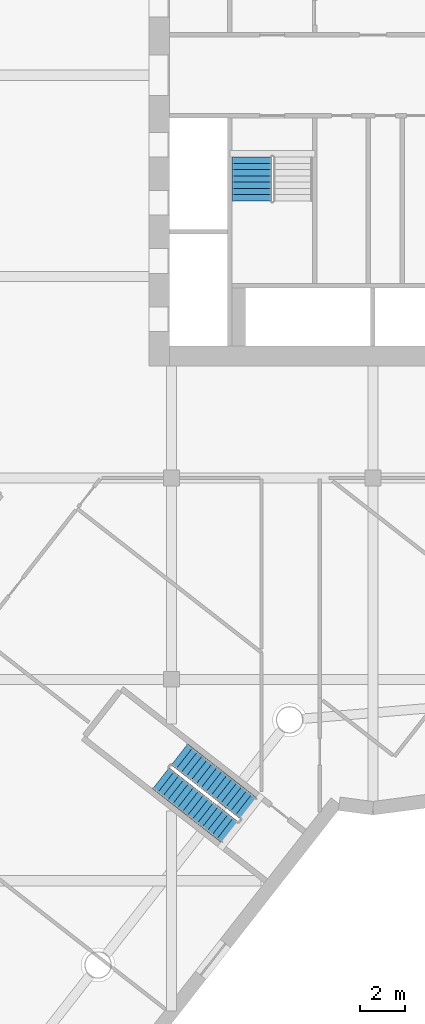
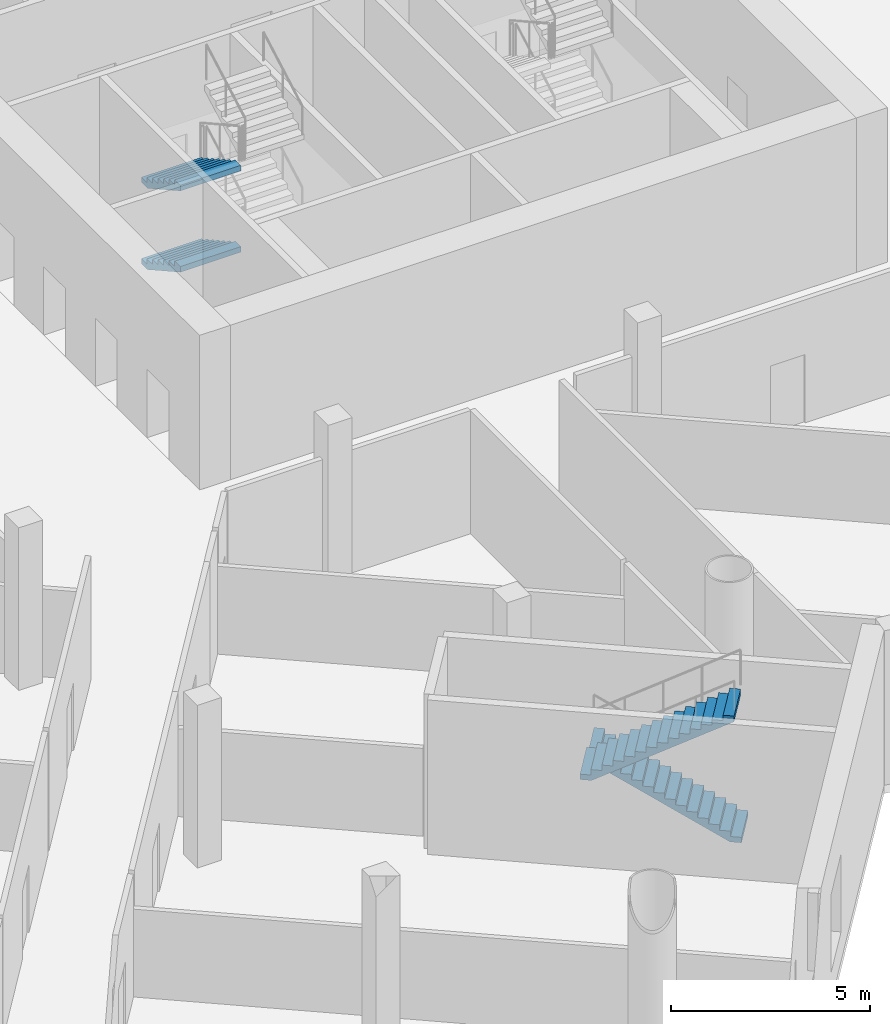
# One storey, part 13 of 22: 4 stair flights, 2 elements without a shape of their own.
"""IFC4 building model written with IfcOpenShell, lengths in metres."""

from ifc_helpers import new_model, si_unit, direction, frame, origin, place, context, subcontext, project, spatial, faceted_brep, material, type_object, element, aggregate, save


model = new_model("IFC4")

# Units and contexts
model_context = context("Model", 3, precision=1e-05, world=origin(), true_north=direction((0.0, 1.0)))
body_context = subcontext(model_context, "Body", "Model", "MODEL_VIEW")
ifc_project = project(units=[si_unit("LENGTHUNIT", "METRE"), si_unit("AREAUNIT", "SQUARE_METRE"), si_unit("VOLUMEUNIT", "CUBIC_METRE"), si_unit("PLANEANGLEUNIT", "RADIAN"), si_unit("MASSUNIT", "GRAM", prefix="KILO")], contexts=[model_context])

# Site, building, storey
site_placement = place(None, origin())
site = spatial("IfcSite", under=ifc_project, at=site_placement, CompositionType="ELEMENT")
building_placement = place(site_placement, origin())
building = spatial("IfcBuilding", under=site, at=building_placement, Name="Tarsis Ring Headquarters", CompositionType="ELEMENT")
storey_placement = place(building_placement, frame((0.0, 0.0, 25.0)))
storey = spatial("IfcBuildingStorey", under=building, at=storey_placement, Name="L04", CompositionType="ELEMENT", Elevation=25.0)

# Stair, stair flights
ifc_material_1 = material(Name="Core stair 1760")
stair_type_1 = type_object("IfcStairType", Name="Core stair 1760", PredefinedType="HALF_TURN_STAIR", material=ifc_material_1)
stair_1_placement = place(storey_placement, origin())
stair_1 = element("IfcStair", 1, at=stair_1_placement, inside=storey, type_object=stair_type_1, Name="L04 Exit stair C", PredefinedType="HALF_TURN_STAIR")
ifc_material_2 = material(Name="Concrete C40/50", Category="concrete")
stair_flight_type_1 = type_object("IfcStairFlightType", Name="Core stair flight 1760", PredefinedType="STRAIGHT", material=ifc_material_2)
stair_flight_1_placement = place(storey_placement, frame((-5.419921875, -3.659912109375, 0.0), z_axis=(0.0, 0.0, 1.0), x_axis=(0.0, -1.0, 0.0)))
stair_flight_1 = element("IfcStairFlight", 2, at=stair_flight_1_placement, type_object=stair_flight_type_1, Name="Stair ST3 flight 1", NumberOfRisers=8, NumberOfTreads=7, PredefinedType="STRAIGHT", RiserHeight=0.15625, TreadLength=0.28, context=body_context, shape_type="Brep", body=[
    faceted_brep([(0.0, 0.8798828125, 0.0), (0.0, 0.8798828125, 0.15625), (0.280029296875, 0.8798828125, 0.15625), (0.280029296875, 0.8798828125, 0.3125), (0.56005859375, 0.8798828125, 0.3125), (0.56005859375, 0.8798828125, 0.46875), (0.840087890625, 0.8798828125, 0.46875), (0.840087890625, 0.8798828125, 0.625), (1.1201171875, 0.8798828125, 0.625), (1.1201171875, 0.8798828125, 0.78125), (1.39990234375, 0.8798828125, 0.78125), (1.39990234375, 0.8798828125, 0.9375), (1.679931640625, 0.8798828125, 0.9375), (1.679931640625, 0.8798828125, 1.09375), (1.9599609375, 0.8798828125, 1.09375), (1.9599609375, 0.8798828125, 0.922119140625), (0.3076171875, 0.8798828125, 0.0), (0.3076171875, -0.8798828125, 0.0), (1.9599609375, -0.8798828125, 0.922119140625), (1.9599609375, -0.8798828125, 1.09375), (1.679931640625, -0.8798828125, 1.09375), (1.679931640625, -0.8798828125, 0.9375), (1.39990234375, -0.8798828125, 0.9375), (1.39990234375, -0.8798828125, 0.78125), (1.1201171875, -0.8798828125, 0.78125), (1.1201171875, -0.8798828125, 0.625), (0.840087890625, -0.8798828125, 0.625), (0.840087890625, -0.8798828125, 0.46875), (0.56005859375, -0.8798828125, 0.46875), (0.56005859375, -0.8798828125, 0.3125), (0.280029296875, -0.8798828125, 0.3125), (0.280029296875, -0.8798828125, 0.15625), (0.0, -0.8798828125, 0.15625), (0.0, -0.8798828125, 0.0), (0.0, -0.43994140625, 0.15625), (0.0, -0.43994140625, 0.0), (0.0, 0.0, 0.15625), (0.0, 0.0, 0.0), (0.0, 0.43994140625, 0.15625), (0.0, 0.43994140625, 0.0), (0.280029296875, -0.43994140625, 0.15625), (0.280029296875, 0.0, 0.15625), (0.280029296875, 0.43994140625, 0.15625), (0.280029296875, -0.43994140625, 0.3125), (0.280029296875, 0.0, 0.3125), (0.280029296875, 0.43994140625, 0.3125), (0.56005859375, -0.43994140625, 0.3125), (0.56005859375, 0.0, 0.3125), (0.56005859375, 0.43994140625, 0.3125), (0.56005859375, -0.43994140625, 0.46875), (0.56005859375, 0.0, 0.46875), (0.56005859375, 0.43994140625, 0.46875), (0.840087890625, -0.43994140625, 0.46875), (0.840087890625, 0.0, 0.46875), (0.840087890625, 0.43994140625, 0.46875), (0.840087890625, -0.43994140625, 0.625), (0.840087890625, 0.0, 0.625), (0.840087890625, 0.43994140625, 0.625), (1.1201171875, -0.43994140625, 0.625), (1.1201171875, 0.0, 0.625), (1.1201171875, 0.43994140625, 0.625), (1.1201171875, -0.43994140625, 0.78125), (1.1201171875, 0.0, 0.78125), (1.1201171875, 0.43994140625, 0.78125), (1.39990234375, -0.43994140625, 0.78125), (1.39990234375, 0.0, 0.78125), (1.39990234375, 0.43994140625, 0.78125), (1.39990234375, -0.43994140625, 0.9375), (1.39990234375, 0.0, 0.9375), (1.39990234375, 0.43994140625, 0.9375), (1.679931640625, -0.43994140625, 0.9375), (1.679931640625, 0.0, 0.9375), (1.679931640625, 0.43994140625, 0.9375), (1.679931640625, -0.43994140625, 1.09375), (1.679931640625, 0.0, 1.09375), (1.679931640625, 0.43994140625, 1.09375), (1.9599609375, -0.43994140625, 1.09375), (1.9599609375, 0.0, 1.09375), (1.9599609375, 0.43994140625, 1.09375), (1.9599609375, -0.43994140625, 0.922119140625), (1.9599609375, 0.0, 0.922119140625), (1.9599609375, 0.43994140625, 0.922119140625), (0.3076171875, -0.43994140625, 0.0), (0.3076171875, 0.0, 0.0), (0.3076171875, 0.43994140625, 0.0)], [[[0, 1, 2, 3, 4, 5, 6, 7, 8, 9, 10, 11, 12, 13, 14, 15, 16]], [[17, 18, 19, 20, 21, 22, 23, 24, 25, 26, 27, 28, 29, 30, 31, 32, 33]], [[33, 32, 34, 35]], [[35, 34, 36, 37]], [[37, 36, 38, 39]], [[39, 38, 1, 0]], [[32, 31, 40, 34]], [[34, 40, 41, 36]], [[36, 41, 42, 38]], [[38, 42, 2, 1]], [[31, 30, 43, 40]], [[40, 43, 44, 41]], [[41, 44, 45, 42]], [[42, 45, 3, 2]], [[30, 29, 46, 43]], [[43, 46, 47, 44]], [[44, 47, 48, 45]], [[45, 48, 4, 3]], [[29, 28, 49, 46]], [[46, 49, 50, 47]], [[47, 50, 51, 48]], [[48, 51, 5, 4]], [[28, 27, 52, 49]], [[49, 52, 53, 50]], [[50, 53, 54, 51]], [[51, 54, 6, 5]], [[27, 26, 55, 52]], [[52, 55, 56, 53]], [[53, 56, 57, 54]], [[54, 57, 7, 6]], [[26, 25, 58, 55]], [[55, 58, 59, 56]], [[56, 59, 60, 57]], [[57, 60, 8, 7]], [[25, 24, 61, 58]], [[58, 61, 62, 59]], [[59, 62, 63, 60]], [[60, 63, 9, 8]], [[24, 23, 64, 61]], [[61, 64, 65, 62]], [[62, 65, 66, 63]], [[63, 66, 10, 9]], [[23, 22, 67, 64]], [[64, 67, 68, 65]], [[65, 68, 69, 66]], [[66, 69, 11, 10]], [[22, 21, 70, 67]], [[67, 70, 71, 68]], [[68, 71, 72, 69]], [[69, 72, 12, 11]], [[21, 20, 73, 70]], [[70, 73, 74, 71]], [[71, 74, 75, 72]], [[72, 75, 13, 12]], [[20, 19, 76, 73]], [[73, 76, 77, 74]], [[74, 77, 78, 75]], [[75, 78, 14, 13]], [[19, 18, 79, 76]], [[76, 79, 80, 77]], [[77, 80, 81, 78]], [[78, 81, 15, 14]], [[18, 17, 82, 79]], [[79, 82, 83, 80]], [[80, 83, 84, 81]], [[81, 84, 16, 15]], [[17, 33, 35, 82]], [[82, 35, 37, 83]], [[83, 37, 39, 84]], [[84, 39, 0, 16]]]),
])
stair_flight_2_placement = place(storey_placement, frame((-5.419921875, -3.659912109375, 2.5), z_axis=(0.0, 0.0, 1.0), x_axis=(0.0, -1.0, 0.0)))
stair_flight_2 = element("IfcStairFlight", 3, at=stair_flight_2_placement, type_object=stair_flight_type_1, Name="Stair ST3 flight 3", NumberOfRisers=8, NumberOfTreads=7, PredefinedType="STRAIGHT", RiserHeight=0.15625, TreadLength=0.28, context=body_context, shape_type="Brep", body=[
    faceted_brep([(0.0, 0.8798828125, 0.0), (0.0, 0.8798828125, 0.15625), (0.280029296875, 0.8798828125, 0.15625), (0.280029296875, 0.8798828125, 0.3125), (0.56005859375, 0.8798828125, 0.3125), (0.56005859375, 0.8798828125, 0.46875), (0.840087890625, 0.8798828125, 0.46875), (0.840087890625, 0.8798828125, 0.625), (1.1201171875, 0.8798828125, 0.625), (1.1201171875, 0.8798828125, 0.78125), (1.39990234375, 0.8798828125, 0.78125), (1.39990234375, 0.8798828125, 0.9375), (1.679931640625, 0.8798828125, 0.9375), (1.679931640625, 0.8798828125, 1.09375), (1.9599609375, 0.8798828125, 1.09375), (1.9599609375, 0.8798828125, 0.922119140625), (0.3076171875, 0.8798828125, 0.0), (0.3076171875, -0.8798828125, 0.0), (1.9599609375, -0.8798828125, 0.922119140625), (1.9599609375, -0.8798828125, 1.09375), (1.679931640625, -0.8798828125, 1.09375), (1.679931640625, -0.8798828125, 0.9375), (1.39990234375, -0.8798828125, 0.9375), (1.39990234375, -0.8798828125, 0.78125), (1.1201171875, -0.8798828125, 0.78125), (1.1201171875, -0.8798828125, 0.625), (0.840087890625, -0.8798828125, 0.625), (0.840087890625, -0.8798828125, 0.46875), (0.56005859375, -0.8798828125, 0.46875), (0.56005859375, -0.8798828125, 0.3125), (0.280029296875, -0.8798828125, 0.3125), (0.280029296875, -0.8798828125, 0.15625), (0.0, -0.8798828125, 0.15625), (0.0, -0.8798828125, 0.0), (0.0, -0.43994140625, 0.15625), (0.0, -0.43994140625, 0.0), (0.0, 0.0, 0.15625), (0.0, 0.0, 0.0), (0.0, 0.43994140625, 0.15625), (0.0, 0.43994140625, 0.0), (0.280029296875, -0.43994140625, 0.15625), (0.280029296875, 0.0, 0.15625), (0.280029296875, 0.43994140625, 0.15625), (0.280029296875, -0.43994140625, 0.3125), (0.280029296875, 0.0, 0.3125), (0.280029296875, 0.43994140625, 0.3125), (0.56005859375, -0.43994140625, 0.3125), (0.56005859375, 0.0, 0.3125), (0.56005859375, 0.43994140625, 0.3125), (0.56005859375, -0.43994140625, 0.46875), (0.56005859375, 0.0, 0.46875), (0.56005859375, 0.43994140625, 0.46875), (0.840087890625, -0.43994140625, 0.46875), (0.840087890625, 0.0, 0.46875), (0.840087890625, 0.43994140625, 0.46875), (0.840087890625, -0.43994140625, 0.625), (0.840087890625, 0.0, 0.625), (0.840087890625, 0.43994140625, 0.625), (1.1201171875, -0.43994140625, 0.625), (1.1201171875, 0.0, 0.625), (1.1201171875, 0.43994140625, 0.625), (1.1201171875, -0.43994140625, 0.78125), (1.1201171875, 0.0, 0.78125), (1.1201171875, 0.43994140625, 0.78125), (1.39990234375, -0.43994140625, 0.78125), (1.39990234375, 0.0, 0.78125), (1.39990234375, 0.43994140625, 0.78125), (1.39990234375, -0.43994140625, 0.9375), (1.39990234375, 0.0, 0.9375), (1.39990234375, 0.43994140625, 0.9375), (1.679931640625, -0.43994140625, 0.9375), (1.679931640625, 0.0, 0.9375), (1.679931640625, 0.43994140625, 0.9375), (1.679931640625, -0.43994140625, 1.09375), (1.679931640625, 0.0, 1.09375), (1.679931640625, 0.43994140625, 1.09375), (1.9599609375, -0.43994140625, 1.09375), (1.9599609375, 0.0, 1.09375), (1.9599609375, 0.43994140625, 1.09375), (1.9599609375, -0.43994140625, 0.922119140625), (1.9599609375, 0.0, 0.922119140625), (1.9599609375, 0.43994140625, 0.922119140625), (0.3076171875, -0.43994140625, 0.0), (0.3076171875, 0.0, 0.0), (0.3076171875, 0.43994140625, 0.0)], [[[0, 1, 2, 3, 4, 5, 6, 7, 8, 9, 10, 11, 12, 13, 14, 15, 16]], [[17, 18, 19, 20, 21, 22, 23, 24, 25, 26, 27, 28, 29, 30, 31, 32, 33]], [[33, 32, 34, 35]], [[35, 34, 36, 37]], [[37, 36, 38, 39]], [[39, 38, 1, 0]], [[32, 31, 40, 34]], [[34, 40, 41, 36]], [[36, 41, 42, 38]], [[38, 42, 2, 1]], [[31, 30, 43, 40]], [[40, 43, 44, 41]], [[41, 44, 45, 42]], [[42, 45, 3, 2]], [[30, 29, 46, 43]], [[43, 46, 47, 44]], [[44, 47, 48, 45]], [[45, 48, 4, 3]], [[29, 28, 49, 46]], [[46, 49, 50, 47]], [[47, 50, 51, 48]], [[48, 51, 5, 4]], [[28, 27, 52, 49]], [[49, 52, 53, 50]], [[50, 53, 54, 51]], [[51, 54, 6, 5]], [[27, 26, 55, 52]], [[52, 55, 56, 53]], [[53, 56, 57, 54]], [[54, 57, 7, 6]], [[26, 25, 58, 55]], [[55, 58, 59, 56]], [[56, 59, 60, 57]], [[57, 60, 8, 7]], [[25, 24, 61, 58]], [[58, 61, 62, 59]], [[59, 62, 63, 60]], [[60, 63, 9, 8]], [[24, 23, 64, 61]], [[61, 64, 65, 62]], [[62, 65, 66, 63]], [[63, 66, 10, 9]], [[23, 22, 67, 64]], [[64, 67, 68, 65]], [[65, 68, 69, 66]], [[66, 69, 11, 10]], [[22, 21, 70, 67]], [[67, 70, 71, 68]], [[68, 71, 72, 69]], [[69, 72, 12, 11]], [[21, 20, 73, 70]], [[70, 73, 74, 71]], [[71, 74, 75, 72]], [[72, 75, 13, 12]], [[20, 19, 76, 73]], [[73, 76, 77, 74]], [[74, 77, 78, 75]], [[75, 78, 14, 13]], [[19, 18, 79, 76]], [[76, 79, 80, 77]], [[77, 80, 81, 78]], [[78, 81, 15, 14]], [[18, 17, 82, 79]], [[79, 82, 83, 80]], [[80, 83, 84, 81]], [[81, 84, 16, 15]], [[17, 33, 35, 82]], [[82, 35, 37, 83]], [[83, 37, 39, 84]], [[84, 39, 0, 16]]]),
])
aggregate(stair_1, [stair_flight_1, stair_flight_2])

stair_type_2 = type_object("IfcStairType", Name="PO-ST", PredefinedType="HALF_TURN_STAIR", material=ifc_material_2)
stair_2_placement = place(storey_placement, origin())
stair_2 = element("IfcStair", 4, at=stair_2_placement, inside=storey, type_object=stair_type_2, Name="L04 Podium stair", PredefinedType="HALF_TURN_STAIR")
stair_flight_type_2 = type_object("IfcStairFlightType", Name="PO-STF", PredefinedType="STRAIGHT", material=ifc_material_2)
stair_flight_3_placement = place(storey_placement, frame((-5.55712890625, -32.768798828125, 0.0), z_axis=(0.0, 0.0, 1.0), x_axis=(-0.788276433435, 0.615321269331, 0.0)))
stair_flight_3 = element("IfcStairFlight", 5, at=stair_flight_3_placement, type_object=stair_flight_type_2, Name="Stair PS2 flight 1", NumberOfRisers=15, NumberOfTreads=14, PredefinedType="STRAIGHT", RiserHeight=0.166666667, TreadLength=0.28, context=body_context, shape_type="Brep", body=[
    faceted_brep([(0.0, 0.60009765625, 0.0), (0.0, 0.60009765625, 0.166748046875), (0.280029296875, 0.60009765625, 0.166748046875), (0.280029296875, 0.60009765625, 0.333251953125), (0.56005859375, 0.60009765625, 0.333251953125), (0.56005859375, 0.60009765625, 0.5), (0.840087890625, 0.60009765625, 0.5), (0.840087890625, 0.60009765625, 0.666748046875), (1.1201171875, 0.60009765625, 0.666748046875), (1.1201171875, 0.60009765625, 0.833251953125), (1.39990234375, 0.60009765625, 0.833251953125), (1.39990234375, 0.60009765625, 1.0), (1.679931640625, 0.60009765625, 1.0), (1.679931640625, 0.60009765625, 1.166748046875), (1.9599609375, 0.60009765625, 1.166748046875), (1.9599609375, 0.60009765625, 1.333251953125), (2.239990234375, 0.60009765625, 1.333251953125), (2.239990234375, 0.60009765625, 1.5), (2.52001953125, 0.60009765625, 1.5), (2.52001953125, 0.60009765625, 1.666748046875), (2.800048828125, 0.60009765625, 1.666748046875), (2.800048828125, 0.60009765625, 1.833251953125), (3.080078125, 0.60009765625, 1.833251953125), (3.080078125, 0.60009765625, 2.0), (3.360107421875, 0.60009765625, 2.0), (3.360107421875, 0.60009765625, 2.166748046875), (3.639892578125, 0.60009765625, 2.166748046875), (3.639892578125, 0.60009765625, 2.333251953125), (3.919921875, 0.60009765625, 2.333251953125), (3.919921875, 0.60009765625, 2.158935546875), (0.29296875, 0.60009765625, 0.0), (0.29296875, -0.60009765625, 0.0), (3.919921875, -0.60009765625, 2.158935546875), (3.919921875, -0.60009765625, 2.333251953125), (3.639892578125, -0.60009765625, 2.333251953125), (3.639892578125, -0.60009765625, 2.166748046875), (3.360107421875, -0.60009765625, 2.166748046875), (3.360107421875, -0.60009765625, 2.0), (3.080078125, -0.60009765625, 2.0), (3.080078125, -0.60009765625, 1.833251953125), (2.800048828125, -0.60009765625, 1.833251953125), (2.800048828125, -0.60009765625, 1.666748046875), (2.52001953125, -0.60009765625, 1.666748046875), (2.52001953125, -0.60009765625, 1.5), (2.239990234375, -0.60009765625, 1.5), (2.239990234375, -0.60009765625, 1.333251953125), (1.9599609375, -0.60009765625, 1.333251953125), (1.9599609375, -0.60009765625, 1.166748046875), (1.679931640625, -0.60009765625, 1.166748046875), (1.679931640625, -0.60009765625, 1.0), (1.39990234375, -0.60009765625, 1.0), (1.39990234375, -0.60009765625, 0.833251953125), (1.1201171875, -0.60009765625, 0.833251953125), (1.1201171875, -0.60009765625, 0.666748046875), (0.840087890625, -0.60009765625, 0.666748046875), (0.840087890625, -0.60009765625, 0.5), (0.56005859375, -0.60009765625, 0.5), (0.56005859375, -0.60009765625, 0.333251953125), (0.280029296875, -0.60009765625, 0.333251953125), (0.280029296875, -0.60009765625, 0.166748046875), (0.0, -0.60009765625, 0.166748046875), (0.0, -0.60009765625, 0.0), (0.0, -0.300048828125, 0.166748046875), (0.0, -0.300048828125, 0.0), (0.0, 0.0, 0.166748046875), (0.0, 0.0, 0.0), (0.0, 0.300048828125, 0.166748046875), (0.0, 0.300048828125, 0.0), (0.280029296875, -0.300048828125, 0.166748046875), (0.280029296875, 0.0, 0.166748046875), (0.280029296875, 0.300048828125, 0.166748046875), (0.280029296875, -0.300048828125, 0.333251953125), (0.280029296875, 0.0, 0.333251953125), (0.280029296875, 0.300048828125, 0.333251953125), (0.56005859375, -0.300048828125, 0.333251953125), (0.56005859375, 0.0, 0.333251953125), (0.56005859375, 0.300048828125, 0.333251953125), (0.56005859375, -0.300048828125, 0.5), (0.56005859375, 0.0, 0.5), (0.56005859375, 0.300048828125, 0.5), (0.840087890625, -0.300048828125, 0.5), (0.840087890625, 0.0, 0.5), (0.840087890625, 0.300048828125, 0.5), (0.840087890625, -0.300048828125, 0.666748046875), (0.840087890625, 0.0, 0.666748046875), (0.840087890625, 0.300048828125, 0.666748046875), (1.1201171875, -0.300048828125, 0.666748046875), (1.1201171875, 0.0, 0.666748046875), (1.1201171875, 0.300048828125, 0.666748046875), (1.1201171875, -0.300048828125, 0.833251953125), (1.1201171875, 0.0, 0.833251953125), (1.1201171875, 0.300048828125, 0.833251953125), (1.39990234375, -0.300048828125, 0.833251953125), (1.39990234375, 0.0, 0.833251953125), (1.39990234375, 0.300048828125, 0.833251953125), (1.39990234375, -0.300048828125, 1.0), (1.39990234375, 0.0, 1.0), (1.39990234375, 0.300048828125, 1.0), (1.679931640625, -0.300048828125, 1.0), (1.679931640625, 0.0, 1.0), (1.679931640625, 0.300048828125, 1.0), (1.679931640625, -0.300048828125, 1.166748046875), (1.679931640625, 0.0, 1.166748046875), (1.679931640625, 0.300048828125, 1.166748046875), (1.9599609375, -0.300048828125, 1.166748046875), (1.9599609375, 0.0, 1.166748046875), (1.9599609375, 0.300048828125, 1.166748046875), (1.9599609375, -0.300048828125, 1.333251953125), (1.9599609375, 0.0, 1.333251953125), (1.9599609375, 0.300048828125, 1.333251953125), (2.239990234375, -0.300048828125, 1.333251953125), (2.239990234375, 0.0, 1.333251953125), (2.239990234375, 0.300048828125, 1.333251953125), (2.239990234375, -0.300048828125, 1.5), (2.239990234375, 0.0, 1.5), (2.239990234375, 0.300048828125, 1.5), (2.52001953125, -0.300048828125, 1.5), (2.52001953125, 0.0, 1.5), (2.52001953125, 0.300048828125, 1.5), (2.52001953125, -0.300048828125, 1.666748046875), (2.52001953125, 0.0, 1.666748046875), (2.52001953125, 0.300048828125, 1.666748046875), (2.800048828125, -0.300048828125, 1.666748046875), (2.800048828125, 0.0, 1.666748046875), (2.800048828125, 0.300048828125, 1.666748046875), (2.800048828125, -0.300048828125, 1.833251953125), (2.800048828125, 0.0, 1.833251953125), (2.800048828125, 0.300048828125, 1.833251953125), (3.080078125, -0.300048828125, 1.833251953125), (3.080078125, 0.0, 1.833251953125), (3.080078125, 0.300048828125, 1.833251953125), (3.080078125, -0.300048828125, 2.0), (3.080078125, 0.0, 2.0), (3.080078125, 0.300048828125, 2.0), (3.360107421875, -0.300048828125, 2.0), (3.360107421875, 0.0, 2.0), (3.360107421875, 0.300048828125, 2.0), (3.360107421875, -0.300048828125, 2.166748046875), (3.360107421875, 0.0, 2.166748046875), (3.360107421875, 0.300048828125, 2.166748046875), (3.639892578125, -0.300048828125, 2.166748046875), (3.639892578125, 0.0, 2.166748046875), (3.639892578125, 0.300048828125, 2.166748046875), (3.639892578125, -0.300048828125, 2.333251953125), (3.639892578125, 0.0, 2.333251953125), (3.639892578125, 0.300048828125, 2.333251953125), (3.919921875, -0.300048828125, 2.333251953125), (3.919921875, 0.0, 2.333251953125), (3.919921875, 0.300048828125, 2.333251953125), (3.919921875, -0.300048828125, 2.158935546875), (3.919921875, 0.0, 2.158935546875), (3.919921875, 0.300048828125, 2.158935546875), (0.29296875, -0.300048828125, 0.0), (0.29296875, 0.0, 0.0), (0.29296875, 0.300048828125, 0.0)], [[[0, 1, 2, 3, 4, 5, 6, 7, 8, 9, 10, 11, 12, 13, 14, 15, 16, 17, 18, 19, 20, 21, 22, 23, 24, 25, 26, 27, 28, 29, 30]], [[31, 32, 33, 34, 35, 36, 37, 38, 39, 40, 41, 42, 43, 44, 45, 46, 47, 48, 49, 50, 51, 52, 53, 54, 55, 56, 57, 58, 59, 60, 61]], [[61, 60, 62, 63]], [[63, 62, 64, 65]], [[65, 64, 66, 67]], [[67, 66, 1, 0]], [[60, 59, 68, 62]], [[62, 68, 69, 64]], [[64, 69, 70, 66]], [[66, 70, 2, 1]], [[59, 58, 71, 68]], [[68, 71, 72, 69]], [[69, 72, 73, 70]], [[70, 73, 3, 2]], [[58, 57, 74, 71]], [[71, 74, 75, 72]], [[72, 75, 76, 73]], [[73, 76, 4, 3]], [[57, 56, 77, 74]], [[74, 77, 78, 75]], [[75, 78, 79, 76]], [[76, 79, 5, 4]], [[56, 55, 80, 77]], [[77, 80, 81, 78]], [[78, 81, 82, 79]], [[79, 82, 6, 5]], [[55, 54, 83, 80]], [[80, 83, 84, 81]], [[81, 84, 85, 82]], [[82, 85, 7, 6]], [[54, 53, 86, 83]], [[83, 86, 87, 84]], [[84, 87, 88, 85]], [[85, 88, 8, 7]], [[53, 52, 89, 86]], [[86, 89, 90, 87]], [[87, 90, 91, 88]], [[88, 91, 9, 8]], [[52, 51, 92, 89]], [[89, 92, 93, 90]], [[90, 93, 94, 91]], [[91, 94, 10, 9]], [[51, 50, 95, 92]], [[92, 95, 96, 93]], [[93, 96, 97, 94]], [[94, 97, 11, 10]], [[50, 49, 98, 95]], [[95, 98, 99, 96]], [[96, 99, 100, 97]], [[97, 100, 12, 11]], [[49, 48, 101, 98]], [[98, 101, 102, 99]], [[99, 102, 103, 100]], [[100, 103, 13, 12]], [[48, 47, 104, 101]], [[101, 104, 105, 102]], [[102, 105, 106, 103]], [[103, 106, 14, 13]], [[47, 46, 107, 104]], [[104, 107, 108, 105]], [[105, 108, 109, 106]], [[106, 109, 15, 14]], [[46, 45, 110, 107]], [[107, 110, 111, 108]], [[108, 111, 112, 109]], [[109, 112, 16, 15]], [[45, 44, 113, 110]], [[110, 113, 114, 111]], [[111, 114, 115, 112]], [[112, 115, 17, 16]], [[44, 43, 116, 113]], [[113, 116, 117, 114]], [[114, 117, 118, 115]], [[115, 118, 18, 17]], [[43, 42, 119, 116]], [[116, 119, 120, 117]], [[117, 120, 121, 118]], [[118, 121, 19, 18]], [[42, 41, 122, 119]], [[119, 122, 123, 120]], [[120, 123, 124, 121]], [[121, 124, 20, 19]], [[41, 40, 125, 122]], [[122, 125, 126, 123]], [[123, 126, 127, 124]], [[124, 127, 21, 20]], [[40, 39, 128, 125]], [[125, 128, 129, 126]], [[126, 129, 130, 127]], [[127, 130, 22, 21]], [[39, 38, 131, 128]], [[128, 131, 132, 129]], [[129, 132, 133, 130]], [[130, 133, 23, 22]], [[38, 37, 134, 131]], [[131, 134, 135, 132]], [[132, 135, 136, 133]], [[133, 136, 24, 23]], [[37, 36, 137, 134]], [[134, 137, 138, 135]], [[135, 138, 139, 136]], [[136, 139, 25, 24]], [[36, 35, 140, 137]], [[137, 140, 141, 138]], [[138, 141, 142, 139]], [[139, 142, 26, 25]], [[35, 34, 143, 140]], [[140, 143, 144, 141]], [[141, 144, 145, 142]], [[142, 145, 27, 26]], [[34, 33, 146, 143]], [[143, 146, 147, 144]], [[144, 147, 148, 145]], [[145, 148, 28, 27]], [[33, 32, 149, 146]], [[146, 149, 150, 147]], [[147, 150, 151, 148]], [[148, 151, 29, 28]], [[32, 31, 152, 149]], [[149, 152, 153, 150]], [[150, 153, 154, 151]], [[151, 154, 30, 29]], [[31, 61, 63, 152]], [[152, 63, 65, 153]], [[153, 65, 67, 154]], [[154, 67, 0, 30]]]),
])
stair_flight_4_placement = place(storey_placement, frame((-9.477783203125, -31.4208984375, 2.5), z_axis=(0.0, 0.0, 1.0), x_axis=(0.788276433435, -0.615321269331, 0.0)))
stair_flight_4 = element("IfcStairFlight", 6, at=stair_flight_4_placement, type_object=stair_flight_type_2, Name="Stair PS2 flight 2", NumberOfRisers=15, NumberOfTreads=14, PredefinedType="STRAIGHT", RiserHeight=0.166666667, TreadLength=0.28, context=body_context, shape_type="Brep", body=[
    faceted_brep([(0.0, 0.60009765625, 0.0), (0.0, 0.60009765625, 0.166748046875), (0.280029296875, 0.60009765625, 0.166748046875), (0.280029296875, 0.60009765625, 0.333251953125), (0.56005859375, 0.60009765625, 0.333251953125), (0.56005859375, 0.60009765625, 0.5), (0.840087890625, 0.60009765625, 0.5), (0.840087890625, 0.60009765625, 0.666748046875), (1.1201171875, 0.60009765625, 0.666748046875), (1.1201171875, 0.60009765625, 0.833251953125), (1.39990234375, 0.60009765625, 0.833251953125), (1.39990234375, 0.60009765625, 1.0), (1.679931640625, 0.60009765625, 1.0), (1.679931640625, 0.60009765625, 1.166748046875), (1.9599609375, 0.60009765625, 1.166748046875), (1.9599609375, 0.60009765625, 1.333251953125), (2.239990234375, 0.60009765625, 1.333251953125), (2.239990234375, 0.60009765625, 1.5), (2.52001953125, 0.60009765625, 1.5), (2.52001953125, 0.60009765625, 1.666748046875), (2.800048828125, 0.60009765625, 1.666748046875), (2.800048828125, 0.60009765625, 1.833251953125), (3.080078125, 0.60009765625, 1.833251953125), (3.080078125, 0.60009765625, 2.0), (3.360107421875, 0.60009765625, 2.0), (3.360107421875, 0.60009765625, 2.166748046875), (3.639892578125, 0.60009765625, 2.166748046875), (3.639892578125, 0.60009765625, 2.333251953125), (3.919921875, 0.60009765625, 2.333251953125), (3.919921875, 0.60009765625, 2.158935546875), (0.29296875, 0.60009765625, 0.0), (0.29296875, -0.60009765625, 0.0), (3.919921875, -0.60009765625, 2.158935546875), (3.919921875, -0.60009765625, 2.333251953125), (3.639892578125, -0.60009765625, 2.333251953125), (3.639892578125, -0.60009765625, 2.166748046875), (3.360107421875, -0.60009765625, 2.166748046875), (3.360107421875, -0.60009765625, 2.0), (3.080078125, -0.60009765625, 2.0), (3.080078125, -0.60009765625, 1.833251953125), (2.800048828125, -0.60009765625, 1.833251953125), (2.800048828125, -0.60009765625, 1.666748046875), (2.52001953125, -0.60009765625, 1.666748046875), (2.52001953125, -0.60009765625, 1.5), (2.239990234375, -0.60009765625, 1.5), (2.239990234375, -0.60009765625, 1.333251953125), (1.9599609375, -0.60009765625, 1.333251953125), (1.9599609375, -0.60009765625, 1.166748046875), (1.679931640625, -0.60009765625, 1.166748046875), (1.679931640625, -0.60009765625, 1.0), (1.39990234375, -0.60009765625, 1.0), (1.39990234375, -0.60009765625, 0.833251953125), (1.1201171875, -0.60009765625, 0.833251953125), (1.1201171875, -0.60009765625, 0.666748046875), (0.840087890625, -0.60009765625, 0.666748046875), (0.840087890625, -0.60009765625, 0.5), (0.56005859375, -0.60009765625, 0.5), (0.56005859375, -0.60009765625, 0.333251953125), (0.280029296875, -0.60009765625, 0.333251953125), (0.280029296875, -0.60009765625, 0.166748046875), (0.0, -0.60009765625, 0.166748046875), (0.0, -0.60009765625, 0.0), (0.0, -0.300048828125, 0.166748046875), (0.0, -0.300048828125, 0.0), (0.0, 0.0, 0.166748046875), (0.0, 0.0, 0.0), (0.0, 0.300048828125, 0.166748046875), (0.0, 0.300048828125, 0.0), (0.280029296875, -0.300048828125, 0.166748046875), (0.280029296875, 0.0, 0.166748046875), (0.280029296875, 0.300048828125, 0.166748046875), (0.280029296875, -0.300048828125, 0.333251953125), (0.280029296875, 0.0, 0.333251953125), (0.280029296875, 0.300048828125, 0.333251953125), (0.56005859375, -0.300048828125, 0.333251953125), (0.56005859375, 0.0, 0.333251953125), (0.56005859375, 0.300048828125, 0.333251953125), (0.56005859375, -0.300048828125, 0.5), (0.56005859375, 0.0, 0.5), (0.56005859375, 0.300048828125, 0.5), (0.840087890625, -0.300048828125, 0.5), (0.840087890625, 0.0, 0.5), (0.840087890625, 0.300048828125, 0.5), (0.840087890625, -0.300048828125, 0.666748046875), (0.840087890625, 0.0, 0.666748046875), (0.840087890625, 0.300048828125, 0.666748046875), (1.1201171875, -0.300048828125, 0.666748046875), (1.1201171875, 0.0, 0.666748046875), (1.1201171875, 0.300048828125, 0.666748046875), (1.1201171875, -0.300048828125, 0.833251953125), (1.1201171875, 0.0, 0.833251953125), (1.1201171875, 0.300048828125, 0.833251953125), (1.39990234375, -0.300048828125, 0.833251953125), (1.39990234375, 0.0, 0.833251953125), (1.39990234375, 0.300048828125, 0.833251953125), (1.39990234375, -0.300048828125, 1.0), (1.39990234375, 0.0, 1.0), (1.39990234375, 0.300048828125, 1.0), (1.679931640625, -0.300048828125, 1.0), (1.679931640625, 0.0, 1.0), (1.679931640625, 0.300048828125, 1.0), (1.679931640625, -0.300048828125, 1.166748046875), (1.679931640625, 0.0, 1.166748046875), (1.679931640625, 0.300048828125, 1.166748046875), (1.9599609375, -0.300048828125, 1.166748046875), (1.9599609375, 0.0, 1.166748046875), (1.9599609375, 0.300048828125, 1.166748046875), (1.9599609375, -0.300048828125, 1.333251953125), (1.9599609375, 0.0, 1.333251953125), (1.9599609375, 0.300048828125, 1.333251953125), (2.239990234375, -0.300048828125, 1.333251953125), (2.239990234375, 0.0, 1.333251953125), (2.239990234375, 0.300048828125, 1.333251953125), (2.239990234375, -0.300048828125, 1.5), (2.239990234375, 0.0, 1.5), (2.239990234375, 0.300048828125, 1.5), (2.52001953125, -0.300048828125, 1.5), (2.52001953125, 0.0, 1.5), (2.52001953125, 0.300048828125, 1.5), (2.52001953125, -0.300048828125, 1.666748046875), (2.52001953125, 0.0, 1.666748046875), (2.52001953125, 0.300048828125, 1.666748046875), (2.800048828125, -0.300048828125, 1.666748046875), (2.800048828125, 0.0, 1.666748046875), (2.800048828125, 0.300048828125, 1.666748046875), (2.800048828125, -0.300048828125, 1.833251953125), (2.800048828125, 0.0, 1.833251953125), (2.800048828125, 0.300048828125, 1.833251953125), (3.080078125, -0.300048828125, 1.833251953125), (3.080078125, 0.0, 1.833251953125), (3.080078125, 0.300048828125, 1.833251953125), (3.080078125, -0.300048828125, 2.0), (3.080078125, 0.0, 2.0), (3.080078125, 0.300048828125, 2.0), (3.360107421875, -0.300048828125, 2.0), (3.360107421875, 0.0, 2.0), (3.360107421875, 0.300048828125, 2.0), (3.360107421875, -0.300048828125, 2.166748046875), (3.360107421875, 0.0, 2.166748046875), (3.360107421875, 0.300048828125, 2.166748046875), (3.639892578125, -0.300048828125, 2.166748046875), (3.639892578125, 0.0, 2.166748046875), (3.639892578125, 0.300048828125, 2.166748046875), (3.639892578125, -0.300048828125, 2.333251953125), (3.639892578125, 0.0, 2.333251953125), (3.639892578125, 0.300048828125, 2.333251953125), (3.919921875, -0.300048828125, 2.333251953125), (3.919921875, 0.0, 2.333251953125), (3.919921875, 0.300048828125, 2.333251953125), (3.919921875, -0.300048828125, 2.158935546875), (3.919921875, 0.0, 2.158935546875), (3.919921875, 0.300048828125, 2.158935546875), (0.29296875, -0.300048828125, 0.0), (0.29296875, 0.0, 0.0), (0.29296875, 0.300048828125, 0.0)], [[[0, 1, 2, 3, 4, 5, 6, 7, 8, 9, 10, 11, 12, 13, 14, 15, 16, 17, 18, 19, 20, 21, 22, 23, 24, 25, 26, 27, 28, 29, 30]], [[31, 32, 33, 34, 35, 36, 37, 38, 39, 40, 41, 42, 43, 44, 45, 46, 47, 48, 49, 50, 51, 52, 53, 54, 55, 56, 57, 58, 59, 60, 61]], [[61, 60, 62, 63]], [[63, 62, 64, 65]], [[65, 64, 66, 67]], [[67, 66, 1, 0]], [[60, 59, 68, 62]], [[62, 68, 69, 64]], [[64, 69, 70, 66]], [[66, 70, 2, 1]], [[59, 58, 71, 68]], [[68, 71, 72, 69]], [[69, 72, 73, 70]], [[70, 73, 3, 2]], [[58, 57, 74, 71]], [[71, 74, 75, 72]], [[72, 75, 76, 73]], [[73, 76, 4, 3]], [[57, 56, 77, 74]], [[74, 77, 78, 75]], [[75, 78, 79, 76]], [[76, 79, 5, 4]], [[56, 55, 80, 77]], [[77, 80, 81, 78]], [[78, 81, 82, 79]], [[79, 82, 6, 5]], [[55, 54, 83, 80]], [[80, 83, 84, 81]], [[81, 84, 85, 82]], [[82, 85, 7, 6]], [[54, 53, 86, 83]], [[83, 86, 87, 84]], [[84, 87, 88, 85]], [[85, 88, 8, 7]], [[53, 52, 89, 86]], [[86, 89, 90, 87]], [[87, 90, 91, 88]], [[88, 91, 9, 8]], [[52, 51, 92, 89]], [[89, 92, 93, 90]], [[90, 93, 94, 91]], [[91, 94, 10, 9]], [[51, 50, 95, 92]], [[92, 95, 96, 93]], [[93, 96, 97, 94]], [[94, 97, 11, 10]], [[50, 49, 98, 95]], [[95, 98, 99, 96]], [[96, 99, 100, 97]], [[97, 100, 12, 11]], [[49, 48, 101, 98]], [[98, 101, 102, 99]], [[99, 102, 103, 100]], [[100, 103, 13, 12]], [[48, 47, 104, 101]], [[101, 104, 105, 102]], [[102, 105, 106, 103]], [[103, 106, 14, 13]], [[47, 46, 107, 104]], [[104, 107, 108, 105]], [[105, 108, 109, 106]], [[106, 109, 15, 14]], [[46, 45, 110, 107]], [[107, 110, 111, 108]], [[108, 111, 112, 109]], [[109, 112, 16, 15]], [[45, 44, 113, 110]], [[110, 113, 114, 111]], [[111, 114, 115, 112]], [[112, 115, 17, 16]], [[44, 43, 116, 113]], [[113, 116, 117, 114]], [[114, 117, 118, 115]], [[115, 118, 18, 17]], [[43, 42, 119, 116]], [[116, 119, 120, 117]], [[117, 120, 121, 118]], [[118, 121, 19, 18]], [[42, 41, 122, 119]], [[119, 122, 123, 120]], [[120, 123, 124, 121]], [[121, 124, 20, 19]], [[41, 40, 125, 122]], [[122, 125, 126, 123]], [[123, 126, 127, 124]], [[124, 127, 21, 20]], [[40, 39, 128, 125]], [[125, 128, 129, 126]], [[126, 129, 130, 127]], [[127, 130, 22, 21]], [[39, 38, 131, 128]], [[128, 131, 132, 129]], [[129, 132, 133, 130]], [[130, 133, 23, 22]], [[38, 37, 134, 131]], [[131, 134, 135, 132]], [[132, 135, 136, 133]], [[133, 136, 24, 23]], [[37, 36, 137, 134]], [[134, 137, 138, 135]], [[135, 138, 139, 136]], [[136, 139, 25, 24]], [[36, 35, 140, 137]], [[137, 140, 141, 138]], [[138, 141, 142, 139]], [[139, 142, 26, 25]], [[35, 34, 143, 140]], [[140, 143, 144, 141]], [[141, 144, 145, 142]], [[142, 145, 27, 26]], [[34, 33, 146, 143]], [[143, 146, 147, 144]], [[144, 147, 148, 145]], [[145, 148, 28, 27]], [[33, 32, 149, 146]], [[146, 149, 150, 147]], [[147, 150, 151, 148]], [[148, 151, 29, 28]], [[32, 31, 152, 149]], [[149, 152, 153, 150]], [[150, 153, 154, 151]], [[151, 154, 30, 29]], [[31, 61, 63, 152]], [[152, 63, 65, 153]], [[153, 65, 67, 154]], [[154, 67, 0, 30]]]),
])
aggregate(stair_2, [stair_flight_3, stair_flight_4])

save(model, "model.ifc")
